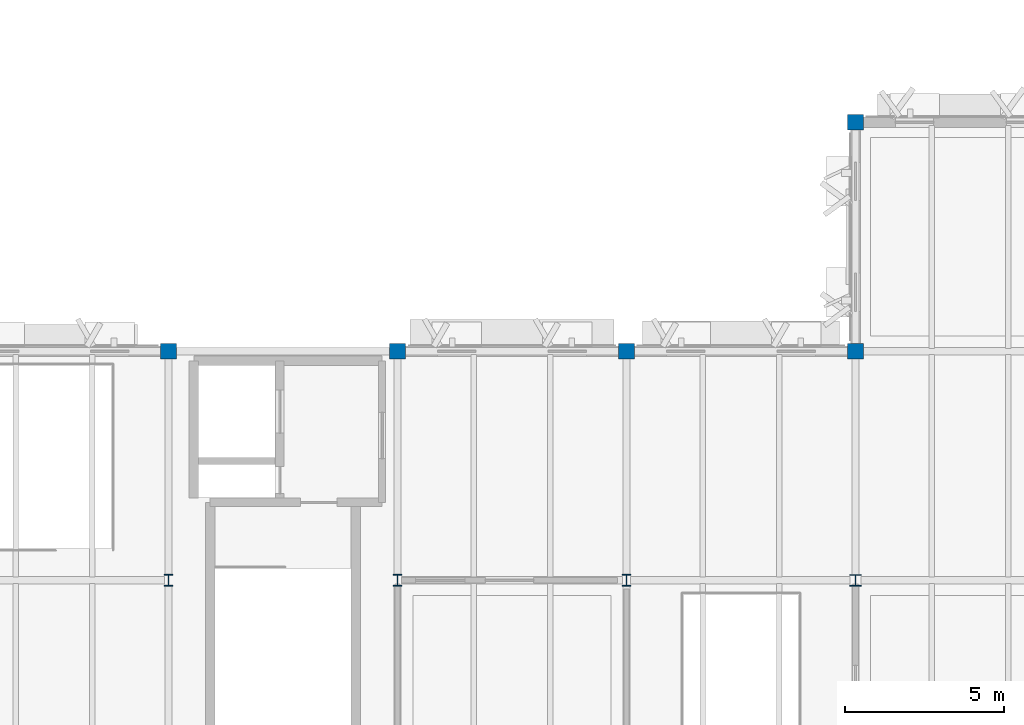
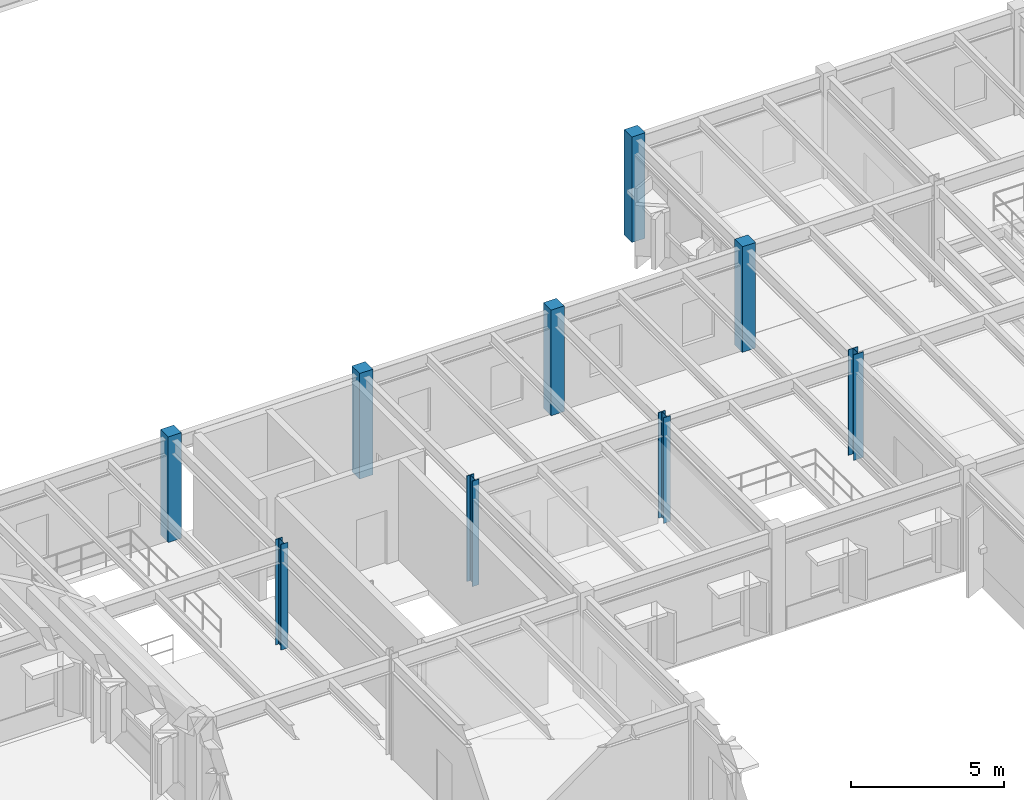
# One storey, part 4 of 85: 9 columns.
"""IFC4 building model written with IfcOpenShell, lengths in metres."""

from ifc_helpers import new_model, si_unit, direction, frame, origin, origin_2d, place, context, subcontext, project, spatial, rectangle, i_section, extrude, material, material_profile, profile_set, type_object, element, save


model = new_model("IFC4")

# Units and contexts
model_context = context("Model", 3, precision=1e-05, world=origin(), true_north=direction((0.0, 1.0)))
body_context = subcontext(model_context, "Body", "Model", "MODEL_VIEW")
ifc_project = project(units=[si_unit("LENGTHUNIT", "METRE"), si_unit("AREAUNIT", "SQUARE_METRE"), si_unit("VOLUMEUNIT", "CUBIC_METRE"), si_unit("PLANEANGLEUNIT", "RADIAN"), si_unit("MASSUNIT", "GRAM", prefix="KILO")], contexts=[model_context])

# Site, building, storey
site_placement = place(None, origin())
site = spatial("IfcSite", under=ifc_project, at=site_placement, CompositionType="ELEMENT")
building_placement = place(site_placement, origin())
building = spatial("IfcBuilding", under=site, at=building_placement, Name="Sillqori Civic Hall", CompositionType="ELEMENT")
storey_placement = place(building_placement, frame((0.0, 0.0, 9.89990234375)))
storey = spatial("IfcBuildingStorey", under=building, at=storey_placement, Name="L03", CompositionType="ELEMENT", Elevation=9.89990234375)

# Columns
ifc_material_1 = material(Name="Concrete C35/45 (H35)", Category="concrete")
ifc_material_profile_1 = material_profile(ifc_material_1, rectangle(XDim=0.5, YDim=0.5, at=origin_2d()), Name="RC 500x500")
ifc_profile_set_1 = profile_set([ifc_material_profile_1], Name="Concrete C35/45 (H35)")
column_type_1 = type_object("IfcColumnType", Name="COL-RC500", PredefinedType="COLUMN", material=ifc_profile_set_1)
for number, where, z_axis, x_axis, name in (
    (1, (43.199951171875, 50.39990234375, 0.0), (0.0, 0.0, 1.0), (1.0, 0.0, 0.0), "L03 column 6-7"),
    (2, (50.39990234375, 50.39990234375, 0.0), (0.0, 0.0, 1.0), (1.0, 0.0, 0.0), "L03 column 7-7"),
    (3, (57.60009765625, 50.39990234375, 0.0), (0.0, 0.0, 1.0), (1.0, 0.0, 0.0), "L03 column 8-7"),
    (4, (64.800048828125, 50.39990234375, 0.0), (0.0, 0.0, 1.0), (1.0, 0.0, 0.0), "L03 column 9-7"),
    (5, (64.800048828125, 57.60009765625, 0.0), (0.0, 0.0, 1.0), (1.0, 0.0, 0.0), "L03 column 9-8"),
):
    element("IfcColumn", number, at=place(storey_placement, frame(where, z_axis=z_axis, x_axis=x_axis)), inside=storey, type_object=column_type_1, Name=name, PredefinedType="COLUMN", context=body_context, shape_type="SweptSolid", body=[
        extrude(rectangle(XDim=0.5, YDim=0.5, at=origin_2d()), origin(), (0.0, 0.0, 1.0), 4.2001953125),
    ])
ifc_material_2 = material(Name="Steel ASTM A992", Category="steel")
ifc_material_profile_2 = material_profile(ifc_material_2, i_section(OverallWidth=0.257080078125, OverallDepth=0.363037109375, WebThickness=0.012939453125, FlangeThickness=0.021728515625, FilletRadius=0.014892578125, at=origin_2d()), Name="W14X82")
ifc_profile_set_2 = profile_set([ifc_material_profile_2], Name="Steel ASTM A992")
column_type_2 = type_object("IfcColumnType", Name="COL-W14X82", PredefinedType="COLUMN", material=ifc_profile_set_2)
for number, where, z_axis, x_axis, name in (
    (6, (43.199951171875, 43.199951171875, 0.0), (0.0, 0.0, 1.0), (1.0, 0.0, 0.0), "L03 column 6-6"),
    (7, (50.39990234375, 43.199951171875, 0.0), (0.0, 0.0, 1.0), (1.0, 0.0, 0.0), "L03 column 7-6"),
    (8, (57.60009765625, 43.199951171875, 0.0), (0.0, 0.0, 1.0), (1.0, 0.0, 0.0), "L03 column 8-6"),
):
    element("IfcColumn", number, at=place(storey_placement, frame(where, z_axis=z_axis, x_axis=x_axis)), inside=storey, type_object=column_type_2, Name=name, PredefinedType="COLUMN", context=body_context, shape_type="SweptSolid", body=[
        extrude(i_section(OverallWidth=0.257080078125, OverallDepth=0.363037109375, WebThickness=0.012939453125, FlangeThickness=0.021728515625, FilletRadius=0.014892578125, at=origin_2d()), origin(), (0.0, 0.0, 1.0), 4.2001953125),
    ])
ifc_material_profile_3 = material_profile(ifc_material_2, i_section(OverallWidth=0.37109375, OverallDepth=0.361083984375, WebThickness=0.012451171875, FlangeThickness=0.019775390625, FilletRadius=0.014892578125, at=origin_2d()), Name="W14X99")
ifc_profile_set_3 = profile_set([ifc_material_profile_3], Name="Steel ASTM A992")
column_type_3 = type_object("IfcColumnType", Name="COL-W14X99", PredefinedType="COLUMN", material=ifc_profile_set_3)
column_placement = place(storey_placement, frame((64.800048828125, 43.199951171875, 0.0), z_axis=(0.0, 0.0, 1.0), x_axis=(1.0, 0.0, 0.0)))
element("IfcColumn", 9, at=column_placement, inside=storey, type_object=column_type_3, Name="L03 column 9-6", PredefinedType="COLUMN", context=body_context, shape_type="SweptSolid", body=[
    extrude(i_section(OverallWidth=0.37109375, OverallDepth=0.361083984375, WebThickness=0.012451171875, FlangeThickness=0.019775390625, FilletRadius=0.014892578125, at=origin_2d()), origin(), (0.0, 0.0, 1.0), 4.2001953125),
])

save(model, "model.ifc")
